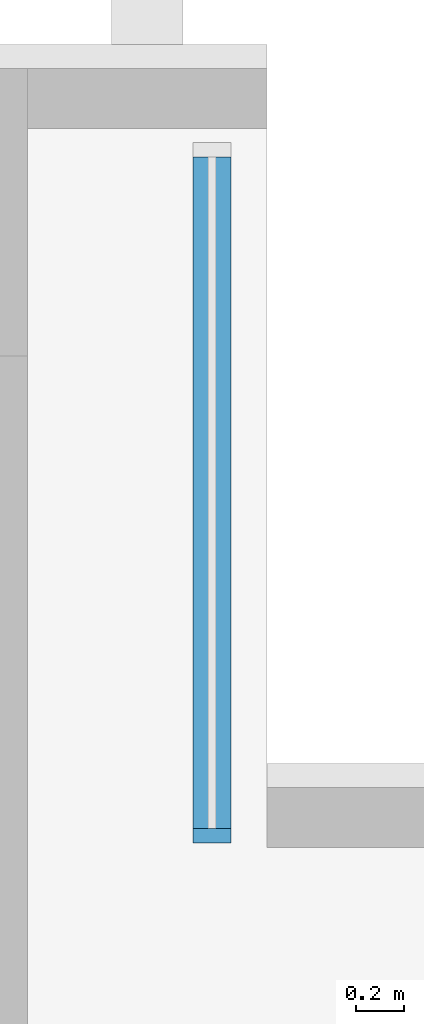
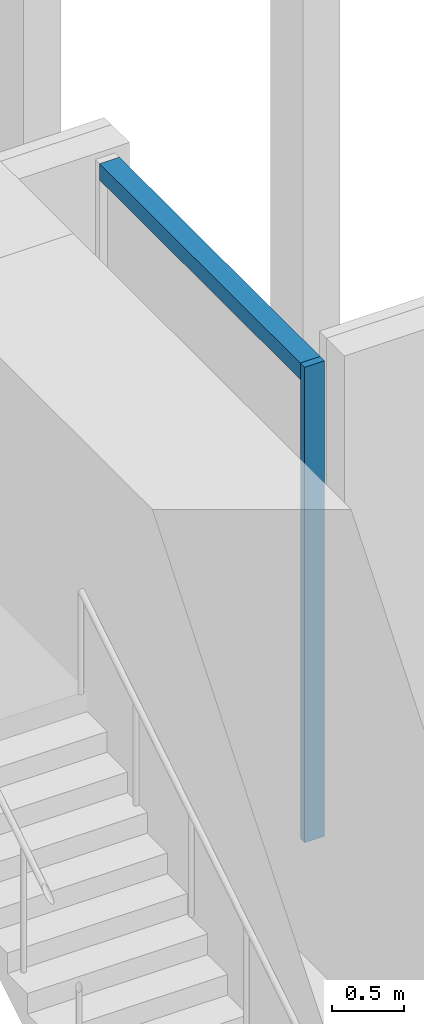
# One storey, part 15 of 28: 2 members, 1 element without a shape of its own.
"""IFC4 building model written with IfcOpenShell, lengths in metres."""

from ifc_helpers import new_model, si_unit, direction, frame, origin, origin_2d, place, context, subcontext, project, spatial, rectangle, extrude, material, material_profile, profile_set, type_object, element, aggregate, save


model = new_model("IFC4")

# Units and contexts
model_context = context("Model", 3, precision=1e-05, world=origin(), true_north=direction((0.0, 1.0)))
body_context = subcontext(model_context, "Body", "Model", "MODEL_VIEW")
ifc_project = project(units=[si_unit("LENGTHUNIT", "METRE"), si_unit("AREAUNIT", "SQUARE_METRE"), si_unit("VOLUMEUNIT", "CUBIC_METRE"), si_unit("PLANEANGLEUNIT", "RADIAN"), si_unit("MASSUNIT", "GRAM", prefix="KILO")], contexts=[model_context])

# Site, building, storey
site_placement = place(None, origin())
site = spatial("IfcSite", under=ifc_project, at=site_placement, CompositionType="ELEMENT")
building_placement = place(site_placement, origin())
building = spatial("IfcBuilding", under=site, at=building_placement, Name="Bicima Exchange Tower", CompositionType="ELEMENT")
storey_placement = place(building_placement, frame((0.0, 0.0, 241.39990234375)))
storey = spatial("IfcBuildingStorey", under=building, at=storey_placement, Name="L54", CompositionType="ELEMENT", Elevation=241.39990234375)

# Curtain wall, members
ifc_material = material(Name="Anodised bronze aluminium", Category="aluminium")
curtain_wall_type = type_object("IfcCurtainWallType", Name="Front glass wall", PredefinedType="NOTDEFINED", material=ifc_material)
curtain_wall_placement = place(storey_placement, origin())
curtain_wall = element("IfcCurtainWall", 1, at=curtain_wall_placement, inside=storey, type_object=curtain_wall_type, Name="Front glass wall L54 run 3", PredefinedType="NOTDEFINED")
ifc_material_profile_1 = material_profile(ifc_material, rectangle(XDim=0.159912109375, YDim=0.06005859375, at=origin_2d()))
ifc_profile_set_1 = profile_set([ifc_material_profile_1], Name="Anodised bronze aluminium")
member_type_1 = type_object("IfcMemberType", Name="Front glass wall mullion 60 x 160", PredefinedType="MULLION", material=ifc_profile_set_1)
member_1_placement = place(storey_placement, frame((22.77001953125, -3.199951171875, 0.0), z_axis=(0.0, 0.0, 1.0), x_axis=(-1.0, 0.0, 0.0)))
member_1 = element("IfcMember", 2, at=member_1_placement, type_object=member_type_1, Name="Front glass wall mullion 1", PredefinedType="MULLION", context=body_context, shape_type="SweptSolid", body=[
    extrude(rectangle(XDim=0.159912109375, YDim=0.06005859375, at=origin_2d()), origin(), (0.0, 0.0, 1.0), 4.050048828125),
])
ifc_material_profile_2 = material_profile(ifc_material, rectangle(XDim=0.159912109375, YDim=0.139892578125, at=origin_2d()))
ifc_profile_set_2 = profile_set([ifc_material_profile_2], Name="Anodised bronze aluminium")
member_type_2 = type_object("IfcMemberType", Name="Front glass wall transom 140 x 160", PredefinedType="USERDEFINED", material=ifc_profile_set_2)
member_2_placement = place(storey_placement, frame((22.77001953125, -3.169921875, 3.97998046875), z_axis=(0.0, 1.0, 0.0), x_axis=(-1.0, 0.0, 0.0)))
member_2 = element("IfcMember", 3, at=member_2_placement, type_object=member_type_2, Name="Front glass wall transom 1.1", ObjectType="TRANSOM", PredefinedType="USERDEFINED", context=body_context, shape_type="SweptSolid", body=[
    extrude(rectangle(XDim=0.159912109375, YDim=0.139892578125, at=origin_2d()), origin(), (0.0, 0.0, 1.0), 2.7998046875),
])
aggregate(curtain_wall, [member_1, member_2])

save(model, "model.ifc")
